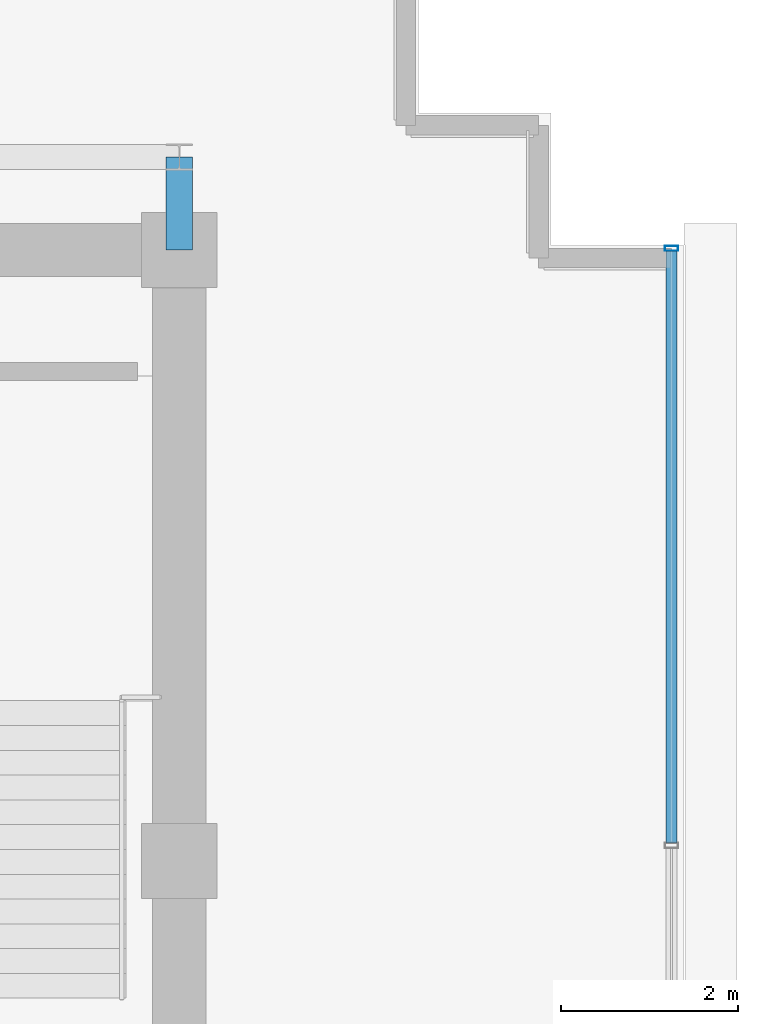
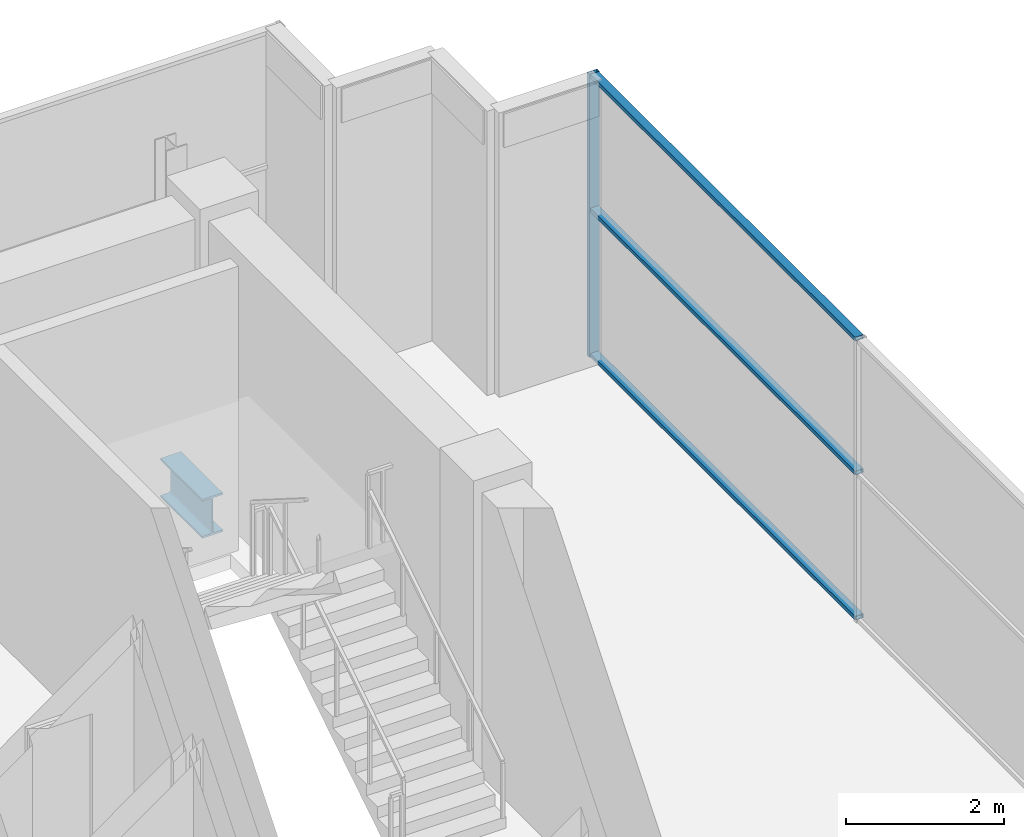
# One storey, part 18 of 28: 4 members, 1 beam, 1 element without a shape of its own.
"""IFC4 building model written with IfcOpenShell, lengths in metres."""

import ifcopenshell
import ifcopenshell.guid

model = None  # the IFC model being written
_history = None  # IfcOwnerHistory: only IFC2X3 demands one
_inside = {}  # id of a spatial element -> (the spatial element, [elements in it])
_under = {}  # id of a project, library or spatial element -> (it, [spatial elements below it])
_declared = {}  # id of a project -> (the project, [libraries it declares])
_typed = {}  # id of a type object -> (the type object, [elements of that type])
_made_of = {}  # id of a material, layer set ... -> (it, [elements and type objects made of it])


def new_model(schema):
    """Start an empty IFC model of exactly this schema.

    Asked for "IFC4X3", IfcOpenShell would pick the latest addendum, in which some entities
    have other attributes; the version numbers below select the first issue.
    IFC2X3 requires an IfcOwnerHistory on every rooted entity: one is made here for all.
    """
    global model, _history
    if schema == "IFC4X3":
        model = ifcopenshell.file(schema_version=(4, 3, 0, 0))
    else:
        model = ifcopenshell.file(schema=schema)
    _inside.clear()
    _under.clear()
    _declared.clear()
    _typed.clear()
    _made_of.clear()
    _history = None
    if model.schema == "IFC2X3":
        org = make("IfcOrganization", Name="unknown")
        user = make(
            "IfcPersonAndOrganization",
            ThePerson=make("IfcPerson", FamilyName="unknown"),
            TheOrganization=org,
        )
        app = make(
            "IfcApplication",
            ApplicationDeveloper=org,
            Version="unknown",
            ApplicationFullName="unknown",
            ApplicationIdentifier="unknown",
        )
        _history = make(
            "IfcOwnerHistory",
            OwningUser=user,
            OwningApplication=app,
            ChangeAction="ADDED",
            CreationDate=0,
        )
    return model


def make(cls, **values):
    """One entity of the class cls with the attributes given. An attribute that is None is left unset."""
    return model.create_entity(
        cls, **{name: value for name, value in values.items() if value is not None}
    )


def rooted(cls, **values):
    """An entity with a GlobalId (a new one), such as an element, a storey or a relation."""
    return make(cls, GlobalId=ifcopenshell.guid.new(), OwnerHistory=_history, **values)


def si_unit(unit_type, name, prefix=None):
    """IfcSIUnit, for example si_unit("LENGTHUNIT", "METRE", prefix="MILLI")."""
    return make("IfcSIUnit", UnitType=unit_type, Prefix=prefix, Name=name)


def assignment(units):
    """IfcUnitAssignment: the units of a project."""
    return None if units is None else make("IfcUnitAssignment", Units=units)


def point(xyz):
    """IfcCartesianPoint."""
    return None if xyz is None else make("IfcCartesianPoint", Coordinates=xyz)


def direction(xyz):
    """IfcDirection."""
    return None if xyz is None else make("IfcDirection", DirectionRatios=xyz)


def frame(location, z_axis=None, x_axis=None):
    """IfcAxis2Placement3D, a coordinate frame: its origin and axes. An axis left out is left unset."""
    return make(
        "IfcAxis2Placement3D",
        Location=point(location),
        Axis=direction(z_axis),
        RefDirection=direction(x_axis),
    )


def frame_2d(location, x_axis=None):
    """IfcAxis2Placement2D, a coordinate frame in the plane: its origin and x axis."""
    return make(
        "IfcAxis2Placement2D", Location=point(location), RefDirection=direction(x_axis)
    )


def origin():
    """The frame at (0, 0, 0) with its axes left unset."""
    return frame((0.0, 0.0, 0.0))


def origin_2d():
    """The frame at (0, 0) in the plane with its x axis left unset."""
    return frame_2d((0.0, 0.0))


def place(relative_to, where):
    """IfcLocalPlacement: puts the frame where relative to a parent placement (None: the world)."""
    return make(
        "IfcLocalPlacement", PlacementRelTo=relative_to, RelativePlacement=where
    )


def context(
    kind, dimensions, precision=None, world=None, true_north=None, identifier=None
):
    """IfcGeometricRepresentationContext, for example the 3D "Model" context."""
    return make(
        "IfcGeometricRepresentationContext",
        ContextIdentifier=identifier,
        ContextType=kind,
        CoordinateSpaceDimension=dimensions,
        Precision=precision,
        WorldCoordinateSystem=world,
        TrueNorth=true_north,
    )


def subcontext(parent, identifier, kind, view, scale=None):
    """IfcGeometricRepresentationSubContext, for example "Body" below "Model"."""
    return make(
        "IfcGeometricRepresentationSubContext",
        ContextIdentifier=identifier,
        ContextType=kind,
        ParentContext=parent,
        TargetScale=scale,
        TargetView=view,
    )


def project(units=None, contexts=None):
    """IfcProject with its units and contexts."""
    return rooted(
        "IfcProject",
        Name="project",
        RepresentationContexts=contexts,
        UnitsInContext=assignment(units),
    )


def spatial(cls, under=None, at=None, **own):
    """A site, building, storey or space (cls), placed at a placement, below another one or the project."""
    s = rooted(cls, ObjectPlacement=at, **own)
    if under is not None:
        _under.setdefault(under.id(), (under, []))[1].append(s)
    return s


def profile(cls, at=None, kind="AREA", **sizes):
    """A parametric profile (cls). Its sizes go by their IFC names, for example OverallWidth=200.0."""
    return make(cls, ProfileType=kind, Position=at, **sizes)


def hollow_rectangle(**sizes):
    """IfcRectangleHollowProfileDef."""
    return profile("IfcRectangleHollowProfileDef", **sizes)


def i_section(**sizes):
    """IfcIShapeProfileDef."""
    return profile("IfcIShapeProfileDef", **sizes)


def extrude(swept, where, along, depth):
    """IfcExtrudedAreaSolid: the profile swept, set in the frame where, extruded along a direction by depth."""
    return make(
        "IfcExtrudedAreaSolid",
        SweptArea=swept,
        Position=where,
        ExtrudedDirection=direction(along),
        Depth=depth,
    )


def shape(context_of_items, identifier, shape_type, items):
    """IfcShapeRepresentation: the items that make up one representation, for example the "Body"."""
    return make(
        "IfcShapeRepresentation",
        ContextOfItems=context_of_items,
        RepresentationIdentifier=identifier,
        RepresentationType=shape_type,
        Items=items,
    )


def source(mapping_origin, context_of_items, identifier, shape_type, items):
    """IfcRepresentationMap: a shape defined once, which mapped items show again and again."""
    return make(
        "IfcRepresentationMap",
        MappingOrigin=mapping_origin,
        MappedRepresentation=shape(context_of_items, identifier, shape_type, items),
    )


def transform(
    local_origin,
    x_axis=None,
    y_axis=None,
    z_axis=None,
    scale=None,
    scale2=None,
    scale3=None,
    uniform=True,
):
    """IfcCartesianTransformationOperator3D, or its non-uniform kind. x_axis, y_axis, z_axis: its Axis1, 2, 3."""
    if uniform:
        return make(
            "IfcCartesianTransformationOperator3D",
            Axis1=direction(x_axis),
            Axis2=direction(y_axis),
            LocalOrigin=point(local_origin),
            Scale=scale,
            Axis3=direction(z_axis),
        )
    return make(
        "IfcCartesianTransformationOperator3DnonUniform",
        Axis1=direction(x_axis),
        Axis2=direction(y_axis),
        LocalOrigin=point(local_origin),
        Scale=scale,
        Axis3=direction(z_axis),
        Scale2=scale2,
        Scale3=scale3,
    )


def mapped(mapping_source, mapping_target):
    """IfcMappedItem: shows the shape of a source again, moved by a transform."""
    return make(
        "IfcMappedItem", MappingSource=mapping_source, MappingTarget=mapping_target
    )


def material(Name=None, Category=None):
    """IfcMaterial."""
    return make("IfcMaterial", Name=Name, Category=Category)


def layer(
    of_material, thickness, ventilated=None, Name=None, Category=None, Priority=None
):
    """IfcMaterialLayer: one layer of a wall or slab, of a material (None: an air gap)."""
    return make(
        "IfcMaterialLayer",
        Material=of_material,
        LayerThickness=thickness,
        IsVentilated=ventilated,
        Name=Name,
        Category=Category,
        Priority=Priority,
    )


def layer_set(layers, Name=None):
    """IfcMaterialLayerSet."""
    return make("IfcMaterialLayerSet", MaterialLayers=layers, LayerSetName=Name)


def material_profile(
    of_material, cross_section, Name=None, Category=None, Priority=None
):
    """IfcMaterialProfile: a cross section and its material."""
    return make(
        "IfcMaterialProfile",
        Name=Name,
        Material=of_material,
        Profile=cross_section,
        Priority=Priority,
        Category=Category,
    )


def profile_set(profiles, Name=None, composite=None):
    """IfcMaterialProfileSet."""
    return make(
        "IfcMaterialProfileSet",
        Name=Name,
        MaterialProfiles=profiles,
        CompositeProfile=composite,
    )


def made_of(thing, what):
    """Note that an element or type object is made of a material, layer set ...; save() writes the relation."""
    if what is not None:
        _made_of.setdefault(what.id(), (what, []))[1].append(thing)
    return thing


def type_object(cls, material=None, **own):
    """A type object (cls), such as IfcWallType, which elements share."""
    return made_of(rooted(cls, **own), material)


def element(
    cls,
    number,
    at=None,
    inside=None,
    cuts=None,
    type_object=None,
    material=None,
    context=None,
    identifier="Body",
    shape_type=None,
    held_by="IfcProductDefinitionShape",
    body=None,
    shapes=None,
    **own,
):
    """One element of the class cls, such as IfcWall. Its Tag is "e" and its number.

    at: its placement. inside: the storey or other place that contains it. cuts: it is an
    opening in that element (IfcRelVoidsElement). A single representation is given by context,
    identifier, shape_type and body (its items); several are given by shapes. held_by: the class
    of the entity that holds the representations. save() writes the other relations.
    """
    e = rooted(cls, Tag="e%d" % number, ObjectPlacement=at, **own)
    if body is not None:
        shapes = [shape(context, identifier, shape_type, body)]
    if shapes is not None:
        e.Representation = make(held_by, Representations=shapes)
    if inside is not None:
        _inside.setdefault(inside.id(), (inside, []))[1].append(e)
    if cuts is not None:
        rooted(
            "IfcRelVoidsElement", RelatingBuildingElement=cuts, RelatedOpeningElement=e
        )
    if type_object is not None:
        _typed.setdefault(type_object.id(), (type_object, []))[1].append(e)
    return made_of(e, material)


def aggregate(whole, parts):
    """IfcRelAggregates: a whole, such as a stair, and the parts it consists of."""
    return rooted("IfcRelAggregates", RelatingObject=whole, RelatedObjects=parts)


def save(model, path):
    """Write the relations noted so far, then the file.

    IfcRelAggregates (storeys below a building ...), IfcRelContainedInSpatialStructure (elements
    in a storey), IfcRelDefinesByType, IfcRelAssociatesMaterial and IfcRelDeclares: one each for
    every whole, place, type object, material and project.
    """
    for whole, parts in _under.values():
        aggregate(whole, parts)
    for where, things in _inside.values():
        rooted(
            "IfcRelContainedInSpatialStructure",
            RelatedElements=things,
            RelatingStructure=where,
        )
    for kind, things in _typed.values():
        rooted("IfcRelDefinesByType", RelatedObjects=things, RelatingType=kind)
    for what, things in _made_of.values():
        rooted("IfcRelAssociatesMaterial", RelatedObjects=things, RelatingMaterial=what)
    for by, libraries in _declared.values():
        rooted("IfcRelDeclares", RelatingContext=by, RelatedDefinitions=libraries)
    model.write(path)


model = new_model("IFC4")

# Units and contexts
model_context = context("Model", 3, precision=1e-05, world=origin(), true_north=direction((0.0, 1.0)))
body_context = subcontext(model_context, "Body", "Model", "MODEL_VIEW")
ifc_project = project(units=[si_unit("LENGTHUNIT", "METRE"), si_unit("AREAUNIT", "SQUARE_METRE"), si_unit("VOLUMEUNIT", "CUBIC_METRE"), si_unit("PLANEANGLEUNIT", "RADIAN"), si_unit("MASSUNIT", "GRAM", prefix="KILO")], contexts=[model_context])

# Site, building, storey
site_placement = place(None, origin())
site = spatial("IfcSite", under=ifc_project, at=site_placement, CompositionType="ELEMENT")
building_placement = place(site_placement, origin())
building = spatial("IfcBuilding", under=site, at=building_placement, Name="Zarnakvel Exchange Tower", CompositionType="ELEMENT")
storey_placement = place(building_placement, frame((0.0, 0.0, 276.199951171875)))
storey = spatial("IfcBuildingStorey", under=building, at=storey_placement, Name="Crown L78", CompositionType="ELEMENT", Elevation=276.199951171875)

# Beam
ifc_material_1 = material(Name="Steel S355", Category="steel")
ifc_material_profile_1 = material_profile(ifc_material_1, i_section(OverallWidth=0.300048828125, OverallDepth=0.60009765625, WebThickness=0.015380859375, FlangeThickness=0.030029296875, FilletRadius=0.027099609375, at=origin_2d()))
ifc_profile_set_1 = profile_set([ifc_material_profile_1], Name="Steel S355")
beam_type = type_object("IfcBeamType", Name="G-04", PredefinedType="BEAM", material=ifc_profile_set_1)
beam_placement = place(storey_placement, frame((14.39990234375, 13.5, -0.52001953125), z_axis=(0.0, 1.0, 0.0), x_axis=(-1.0, 0.0, 0.0)))
element("IfcBeam", 1, at=beam_placement, inside=storey, type_object=beam_type, Name="Crown L78 Tower N-S Frame Beam", PredefinedType="BEAM", context=body_context, shape_type="SweptSolid", body=[
    extrude(i_section(OverallWidth=0.300048828125, OverallDepth=0.60009765625, WebThickness=0.015380859375, FlangeThickness=0.030029296875, FilletRadius=0.027099609375, at=origin_2d()), origin(), (0.0, 0.0, 1.0), 1.050048828125),
])

# Curtain wall, members
ifc_material_2 = material(Name="Architectural Bronze Anodised Aluminium", Category="aluminium")
ifc_layer = layer(ifc_material_2, 0.14990234375)
ifc_layer_set = layer_set([ifc_layer], Name="Architectural Bronze Anodised Aluminium")
curtain_wall_type = type_object("IfcCurtainWallType", Name="CW-07", PredefinedType="NOTDEFINED", material=ifc_layer_set)
curtain_wall_placement = place(storey_placement, origin())
curtain_wall = element("IfcCurtainWall", 2, at=curtain_wall_placement, inside=storey, type_object=curtain_wall_type, Name="Crown L78 Curtain Wall CW-Crown L78-E (CW-07)", PredefinedType="NOTDEFINED")
ifc_material_profile_2 = material_profile(ifc_material_2, hollow_rectangle(XDim=0.14990234375, YDim=0.06005859375, WallThickness=0.00390625, at=origin_2d()))
ifc_profile_set_2 = profile_set([ifc_material_profile_2], Name="Architectural Bronze Anodised Aluminium")
member_type_1 = type_object("IfcMemberType", Name="CWM-07", PredefinedType="MULLION", material=ifc_profile_set_2)
shared_shape_1 = source(origin(), body_context, "Body", "SweptSolid", [
    extrude(hollow_rectangle(XDim=0.14990234375, YDim=0.06005859375, WallThickness=0.00390625, at=origin_2d()), origin(), (0.0, 0.0, 1.0), 4.360107421875),
])
member_1_placement = place(storey_placement, frame((19.9599609375, 13.52001953125, 0.0), z_axis=(0.0, 0.0, 1.0), x_axis=(-1.0, 0.0, 0.0)))
member_1 = element("IfcMember", 3, at=member_1_placement, type_object=member_type_1, Name="CW-07 mullion 5", PredefinedType="MULLION", context=body_context, shape_type="MappedRepresentation", body=[
    mapped(shared_shape_1, transform((0.0, 0.0, 0.0), x_axis=(1.0, 0.0, 0.0), y_axis=(0.0, 1.0, 0.0), z_axis=(0.0, 0.0, 1.0), scale=1.0)),
])
ifc_material_profile_3 = material_profile(ifc_material_2, hollow_rectangle(XDim=0.1201171875, YDim=0.06005859375, WallThickness=0.00390625, at=origin_2d()))
ifc_profile_set_3 = profile_set([ifc_material_profile_3], Name="Architectural Bronze Anodised Aluminium")
member_type_2 = type_object("IfcMemberType", Name="CWT-07", PredefinedType="USERDEFINED", material=ifc_profile_set_3)
shared_shape_2 = source(origin(), body_context, "Body", "SweptSolid", [
    extrude(hollow_rectangle(XDim=0.1201171875, YDim=0.06005859375, WallThickness=0.00390625, at=origin_2d()), origin(), (0.0, 0.0, 1.0), 6.68505859375),
])
member_2_placement = place(storey_placement, frame((19.9599609375, 6.804931640625, 0.030029296875), z_axis=(0.0, 1.0, 0.0), x_axis=(-1.0, 0.0, 0.0)))
member_2 = element("IfcMember", 4, at=member_2_placement, type_object=member_type_2, Name="CW-07 transom 4.1", ObjectType="TRANSOM", PredefinedType="USERDEFINED", context=body_context, shape_type="MappedRepresentation", body=[
    mapped(shared_shape_2, transform((0.0, 0.0, 0.0), x_axis=(1.0, 0.0, 0.0), y_axis=(0.0, 1.0, 0.0), z_axis=(0.0, 0.0, 1.0), scale=1.0)),
])
member_3_placement = place(storey_placement, frame((19.9599609375, 6.804931640625, 2.267333984375), z_axis=(0.0, 1.0, 0.0), x_axis=(-1.0, 0.0, 0.0)))
member_3 = element("IfcMember", 5, at=member_3_placement, type_object=member_type_2, Name="CW-07 transom 4.2", ObjectType="TRANSOM", PredefinedType="USERDEFINED", context=body_context, shape_type="MappedRepresentation", body=[
    mapped(shared_shape_2, transform((0.0, 0.0, 0.0), x_axis=(1.0, 0.0, 0.0), y_axis=(0.0, 1.0, 0.0), z_axis=(0.0, 0.0, 1.0), scale=1.0)),
])
member_4_placement = place(storey_placement, frame((19.9599609375, 6.804931640625, 4.330078125), z_axis=(0.0, 1.0, 0.0), x_axis=(-1.0, 0.0, 0.0)))
member_4 = element("IfcMember", 6, at=member_4_placement, type_object=member_type_2, Name="CW-07 transom 4.3", ObjectType="TRANSOM", PredefinedType="USERDEFINED", context=body_context, shape_type="MappedRepresentation", body=[
    mapped(shared_shape_2, transform((0.0, 0.0, 0.0), x_axis=(1.0, 0.0, 0.0), y_axis=(0.0, 1.0, 0.0), z_axis=(0.0, 0.0, 1.0), scale=1.0)),
])
aggregate(curtain_wall, [member_1, member_2, member_3, member_4])

save(model, "model.ifc")
